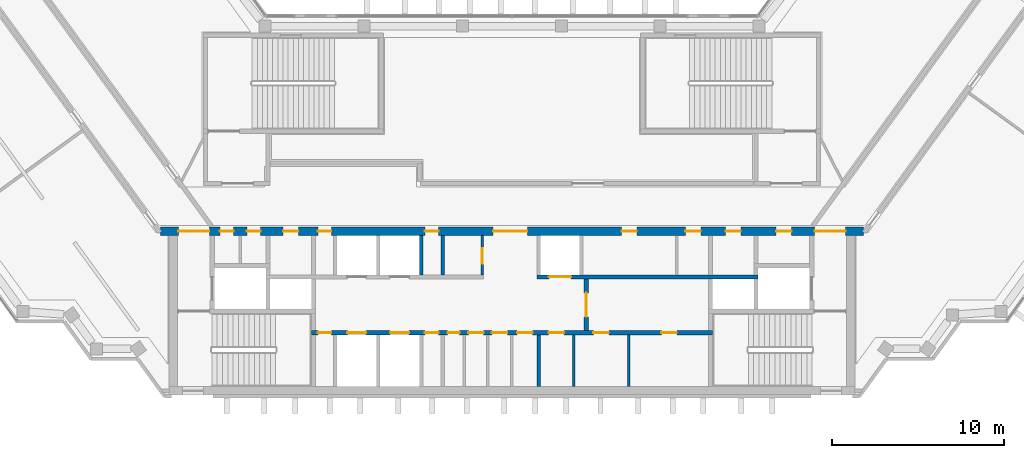
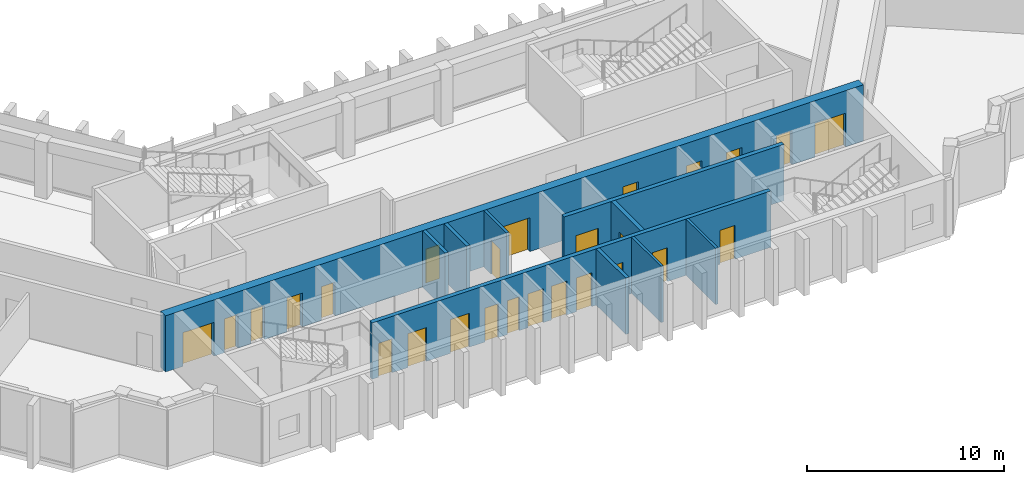
# One storey, part 9 of 13: 26 doors, 10 walls, 26 openings.
"""IFC4 building model written with IfcOpenShell, lengths in metres."""

from ifc_helpers import new_model, si_unit, direction, frame, frame_2d, origin, place, context, subcontext, project, spatial, rectangle, extrude, material, layer, layer_set, type_object, element, fill, save


model = new_model("IFC4")

# Units and contexts
model_context = context("Model", 3, precision=1e-05, world=origin(), true_north=direction((0.0, 1.0)))
body_context = subcontext(model_context, "Body", "Model", "MODEL_VIEW")
ifc_project = project(units=[si_unit("LENGTHUNIT", "METRE"), si_unit("AREAUNIT", "SQUARE_METRE"), si_unit("VOLUMEUNIT", "CUBIC_METRE"), si_unit("PLANEANGLEUNIT", "RADIAN"), si_unit("MASSUNIT", "GRAM", prefix="KILO")], contexts=[model_context])

# Site, building, storey
site_placement = place(None, origin())
site = spatial("IfcSite", under=ifc_project, at=site_placement, CompositionType="ELEMENT")
building_placement = place(site_placement, origin())
building = spatial("IfcBuilding", under=site, at=building_placement, Name="Quipu Civic Tower", CompositionType="ELEMENT")
storey_placement = place(building_placement, frame((0.0, 0.0, 269.0)))
storey = spatial("IfcBuildingStorey", under=building, at=storey_placement, Name="L63", CompositionType="ELEMENT", Elevation=269.0)

# Wall, openings, doors
ifc_material_1 = material(Name="Concrete C70/85", Category="concrete")
ifc_layer_1 = layer(ifc_material_1, 0.25)
ifc_layer_set_1 = layer_set([ifc_layer_1], Name="Concrete C70/85")
wall_type_1 = type_object("IfcWallType", Name="Core wall 250", PredefinedType="SHEAR", material=ifc_layer_set_1)
wall_1_placement = place(storey_placement, frame((11.699951171875, -7.375, 0.0), z_axis=(0.0, 0.0, 1.0), x_axis=(-1.0, 0.0, 0.0)))
wall_1 = element("IfcWall", 1, at=wall_1_placement, inside=storey, type_object=wall_type_1, Name="Core wall", PredefinedType="SHEAR", context=body_context, shape_type="SweptSolid", body=[
    extrude(rectangle(XDim=23.39990234375, YDim=0.25, at=frame_2d((11.699951171875, 0.0))), origin(), (0.0, 0.0, 1.0), 3.5),
])
opening_1_placement = place(wall_1_placement, frame((22.22509765625, 0.0, 0.0)))
opening_1 = element("IfcOpeningElement", 2, at=opening_1_placement, cuts=wall_1, Name="Opening CD-01", PredefinedType="OPENING", context=body_context, shape_type="SweptSolid", body=[
    extrude(rectangle(XDim=0.800048828125, YDim=2.10009765625, at=frame_2d((0.39990234375, 1.050048828125))), frame((0.0, 0.135009765625, 0.0), z_axis=(0.0, -1.0, 0.0), x_axis=(1.0, 0.0, 0.0)), (0.0, 0.0, 1.0), 0.27001953125),
])
opening_2_placement = place(wall_1_placement, frame((20.199951171875, 0.0, 0.0)))
opening_2 = element("IfcOpeningElement", 3, at=opening_2_placement, cuts=wall_1, Name="Opening LD-HL1", PredefinedType="OPENING", context=body_context, shape_type="SweptSolid", body=[
    extrude(rectangle(XDim=1.10009765625, YDim=2.10009765625, at=frame_2d((0.550048828125, 1.050048828125))), frame((0.0, 0.135009765625, 0.0), z_axis=(0.0, -1.0, 0.0), x_axis=(1.0, 0.0, 0.0)), (0.0, 0.0, 1.0), 0.27001953125),
])
opening_3_placement = place(wall_1_placement, frame((17.699951171875, 0.0, 0.0)))
opening_3 = element("IfcOpeningElement", 4, at=opening_3_placement, cuts=wall_1, Name="Opening LD-HL2", PredefinedType="OPENING", context=body_context, shape_type="SweptSolid", body=[
    extrude(rectangle(XDim=1.10009765625, YDim=2.10009765625, at=frame_2d((0.550048828125, 1.050048828125))), frame((0.0, 0.135009765625, 0.0), z_axis=(0.0, -1.0, 0.0), x_axis=(1.0, 0.0, 0.0)), (0.0, 0.0, 1.0), 0.27001953125),
])
opening_4_placement = place(wall_1_placement, frame((15.97509765625, 0.0, 0.0)))
opening_4 = element("IfcOpeningElement", 5, at=opening_4_placement, cuts=wall_1, Name="Opening CD-02", PredefinedType="OPENING", context=body_context, shape_type="SweptSolid", body=[
    extrude(rectangle(XDim=0.800048828125, YDim=2.10009765625, at=frame_2d((0.39990234375, 1.050048828125))), frame((0.0, 0.135009765625, 0.0), z_axis=(0.0, -1.0, 0.0), x_axis=(1.0, 0.0, 0.0)), (0.0, 0.0, 1.0), 0.27001953125),
])
opening_5_placement = place(wall_1_placement, frame((14.75, 0.0, 0.0)))
opening_5 = element("IfcOpeningElement", 6, at=opening_5_placement, cuts=wall_1, Name="Opening CD-03", PredefinedType="OPENING", context=body_context, shape_type="SweptSolid", body=[
    extrude(rectangle(XDim=0.699951171875, YDim=2.10009765625, at=frame_2d((0.35009765625, 1.050048828125))), frame((0.0, 0.135009765625, 0.0), z_axis=(0.0, -1.0, 0.0), x_axis=(1.0, 0.0, 0.0)), (0.0, 0.0, 1.0), 0.27001953125),
])
opening_6_placement = place(wall_1_placement, frame((13.35009765625, 0.0, 0.0)))
opening_6 = element("IfcOpeningElement", 7, at=opening_6_placement, cuts=wall_1, Name="Opening CD-04", PredefinedType="OPENING", context=body_context, shape_type="SweptSolid", body=[
    extrude(rectangle(XDim=0.89990234375, YDim=2.10009765625, at=frame_2d((0.449951171875, 1.050048828125))), frame((0.0, 0.135009765625, 0.0), z_axis=(0.0, -1.0, 0.0), x_axis=(1.0, 0.0, 0.0)), (0.0, 0.0, 1.0), 0.27001953125),
])
opening_7_placement = place(wall_1_placement, frame((11.97509765625, 0.0, 0.0)))
opening_7 = element("IfcOpeningElement", 8, at=opening_7_placement, cuts=wall_1, Name="Opening CD-05", PredefinedType="OPENING", context=body_context, shape_type="SweptSolid", body=[
    extrude(rectangle(XDim=0.89990234375, YDim=2.10009765625, at=frame_2d((0.449951171875, 1.050048828125))), frame((0.0, 0.135009765625, 0.0), z_axis=(0.0, -1.0, 0.0), x_axis=(1.0, 0.0, 0.0)), (0.0, 0.0, 1.0), 0.27001953125),
])
opening_8_placement = place(wall_1_placement, frame((10.5, 0.0, 0.0)))
opening_8 = element("IfcOpeningElement", 9, at=opening_8_placement, cuts=wall_1, Name="Opening CD-06", PredefinedType="OPENING", context=body_context, shape_type="SweptSolid", body=[
    extrude(rectangle(XDim=0.89990234375, YDim=2.10009765625, at=frame_2d((0.449951171875, 1.050048828125))), frame((0.0, 0.135009765625, 0.0), z_axis=(0.0, -1.0, 0.0), x_axis=(1.0, 0.0, 0.0)), (0.0, 0.0, 1.0), 0.27001953125),
])
opening_9_placement = place(wall_1_placement, frame((8.6630859375, 0.0, 0.0)))
opening_9 = element("IfcOpeningElement", 10, at=opening_9_placement, cuts=wall_1, Name="Opening CD-07", PredefinedType="OPENING", context=body_context, shape_type="SweptSolid", body=[
    extrude(rectangle(XDim=0.89990234375, YDim=2.10009765625, at=frame_2d((0.449951171875, 1.050048828125))), frame((0.0, 0.135009765625, 0.0), z_axis=(0.0, -1.0, 0.0), x_axis=(1.0, 0.0, 0.0)), (0.0, 0.0, 1.0), 0.27001953125),
])
opening_10_placement = place(wall_1_placement, frame((6.050048828125, 0.0, 0.0)))
opening_10 = element("IfcOpeningElement", 11, at=opening_10_placement, cuts=wall_1, Name="Opening CD-08", PredefinedType="OPENING", context=body_context, shape_type="SweptSolid", body=[
    extrude(rectangle(XDim=0.89990234375, YDim=2.10009765625, at=frame_2d((0.449951171875, 1.050048828125))), frame((0.0, 0.135009765625, 0.0), z_axis=(0.0, -1.0, 0.0), x_axis=(1.0, 0.0, 0.0)), (0.0, 0.0, 1.0), 0.27001953125),
])
opening_11_placement = place(wall_1_placement, frame((2.087890625, 0.0, 0.0)))
opening_11 = element("IfcOpeningElement", 12, at=opening_11_placement, cuts=wall_1, Name="Opening CD-09", PredefinedType="OPENING", context=body_context, shape_type="SweptSolid", body=[
    extrude(rectangle(XDim=0.89990234375, YDim=2.10009765625, at=frame_2d((0.449951171875, 1.050048828125))), frame((0.0, 0.135009765625, 0.0), z_axis=(0.0, -1.0, 0.0), x_axis=(1.0, 0.0, 0.0)), (0.0, 0.0, 1.0), 0.27001953125),
])
ifc_material_2 = material(Name="Fire rated steel door", Category="steel")
door_type_1 = type_object("IfcDoorType", Name="Fire door FD60 700 x 2100", OperationType="NOTDEFINED", PredefinedType="DOOR", material=ifc_material_2)
door_1_placement = place(opening_5_placement, origin())
door_1 = element("IfcDoor", 13, at=door_1_placement, inside=storey, type_object=door_type_1, Name="Door", OperationType="SINGLE_SWING_RIGHT", OverallHeight=2.10009765625, OverallWidth=0.699951171875, PredefinedType="DOOR", context=body_context, shape_type="SweptSolid", body=[
    extrude(rectangle(XDim=0.699951171875, YDim=2.10009765625, at=frame_2d((0.35009765625, 1.050048828125))), frame((0.0, 0.02490234375, 0.0), z_axis=(0.0, -1.0, 0.0), x_axis=(1.0, 0.0, 0.0)), (0.0, 0.0, 1.0), 0.050048828125),
])
fill(opening_5, door_1)
ifc_material_3 = material(Name="Fire rated steel door", Category="steel")
door_type_2 = type_object("IfcDoorType", Name="Fire door FD60 800 x 2100", OperationType="NOTDEFINED", PredefinedType="DOOR", material=ifc_material_3)
door_2_placement = place(opening_1_placement, origin())
door_2 = element("IfcDoor", 14, at=door_2_placement, inside=storey, type_object=door_type_2, Name="Door", OperationType="SINGLE_SWING_RIGHT", OverallHeight=2.10009765625, OverallWidth=0.800048828125, PredefinedType="DOOR", context=body_context, shape_type="SweptSolid", body=[
    extrude(rectangle(XDim=0.800048828125, YDim=2.10009765625, at=frame_2d((0.39990234375, 1.050048828125))), frame((0.0, 0.02490234375, 0.0), z_axis=(0.0, -1.0, 0.0), x_axis=(1.0, 0.0, 0.0)), (0.0, 0.0, 1.0), 0.050048828125),
])
fill(opening_1, door_2)
door_3_placement = place(opening_4_placement, origin())
door_3 = element("IfcDoor", 15, at=door_3_placement, inside=storey, type_object=door_type_2, Name="Door", OperationType="SINGLE_SWING_RIGHT", OverallHeight=2.10009765625, OverallWidth=0.800048828125, PredefinedType="DOOR", context=body_context, shape_type="SweptSolid", body=[
    extrude(rectangle(XDim=0.800048828125, YDim=2.10009765625, at=frame_2d((0.39990234375, 1.050048828125))), frame((0.0, 0.02490234375, 0.0), z_axis=(0.0, -1.0, 0.0), x_axis=(1.0, 0.0, 0.0)), (0.0, 0.0, 1.0), 0.050048828125),
])
fill(opening_4, door_3)
ifc_material_4 = material(Name="Fire rated steel door", Category="steel")
door_type_3 = type_object("IfcDoorType", Name="Fire door FD60 900 x 2100", OperationType="NOTDEFINED", PredefinedType="DOOR", material=ifc_material_4)
door_4_placement = place(opening_6_placement, origin())
door_4 = element("IfcDoor", 16, at=door_4_placement, inside=storey, type_object=door_type_3, Name="WC door", OperationType="SINGLE_SWING_RIGHT", OverallHeight=2.10009765625, OverallWidth=0.89990234375, PredefinedType="DOOR", context=body_context, shape_type="SweptSolid", body=[
    extrude(rectangle(XDim=0.89990234375, YDim=2.10009765625, at=frame_2d((0.449951171875, 1.050048828125))), frame((0.0, 0.02490234375, 0.0), z_axis=(0.0, -1.0, 0.0), x_axis=(1.0, 0.0, 0.0)), (0.0, 0.0, 1.0), 0.050048828125),
])
fill(opening_6, door_4)
door_5_placement = place(opening_7_placement, origin())
door_5 = element("IfcDoor", 17, at=door_5_placement, inside=storey, type_object=door_type_3, Name="WC door", OperationType="SINGLE_SWING_RIGHT", OverallHeight=2.10009765625, OverallWidth=0.89990234375, PredefinedType="DOOR", context=body_context, shape_type="SweptSolid", body=[
    extrude(rectangle(XDim=0.89990234375, YDim=2.10009765625, at=frame_2d((0.449951171875, 1.050048828125))), frame((0.0, 0.02490234375, 0.0), z_axis=(0.0, -1.0, 0.0), x_axis=(1.0, 0.0, 0.0)), (0.0, 0.0, 1.0), 0.050048828125),
])
fill(opening_7, door_5)
door_6_placement = place(opening_8_placement, origin())
door_6 = element("IfcDoor", 18, at=door_6_placement, inside=storey, type_object=door_type_3, Name="WC door", OperationType="SINGLE_SWING_LEFT", OverallHeight=2.10009765625, OverallWidth=0.89990234375, PredefinedType="DOOR", context=body_context, shape_type="SweptSolid", body=[
    extrude(rectangle(XDim=0.89990234375, YDim=2.10009765625, at=frame_2d((0.449951171875, 1.050048828125))), frame((0.0, 0.02490234375, 0.0), z_axis=(0.0, -1.0, 0.0), x_axis=(1.0, 0.0, 0.0)), (0.0, 0.0, 1.0), 0.050048828125),
])
fill(opening_8, door_6)
door_7_placement = place(opening_9_placement, origin())
door_7 = element("IfcDoor", 19, at=door_7_placement, inside=storey, type_object=door_type_3, Name="Door", OperationType="SINGLE_SWING_LEFT", OverallHeight=2.10009765625, OverallWidth=0.89990234375, PredefinedType="DOOR", context=body_context, shape_type="SweptSolid", body=[
    extrude(rectangle(XDim=0.89990234375, YDim=2.10009765625, at=frame_2d((0.449951171875, 1.050048828125))), frame((0.0, 0.02490234375, 0.0), z_axis=(0.0, -1.0, 0.0), x_axis=(1.0, 0.0, 0.0)), (0.0, 0.0, 1.0), 0.050048828125),
])
fill(opening_9, door_7)
door_8_placement = place(opening_10_placement, origin())
door_8 = element("IfcDoor", 20, at=door_8_placement, inside=storey, type_object=door_type_3, Name="Door", OperationType="SINGLE_SWING_LEFT", OverallHeight=2.10009765625, OverallWidth=0.89990234375, PredefinedType="DOOR", context=body_context, shape_type="SweptSolid", body=[
    extrude(rectangle(XDim=0.89990234375, YDim=2.10009765625, at=frame_2d((0.449951171875, 1.050048828125))), frame((0.0, 0.02490234375, 0.0), z_axis=(0.0, -1.0, 0.0), x_axis=(1.0, 0.0, 0.0)), (0.0, 0.0, 1.0), 0.050048828125),
])
fill(opening_10, door_8)
door_9_placement = place(opening_11_placement, origin())
door_9 = element("IfcDoor", 21, at=door_9_placement, inside=storey, type_object=door_type_3, Name="Door", OperationType="SINGLE_SWING_LEFT", OverallHeight=2.10009765625, OverallWidth=0.89990234375, PredefinedType="DOOR", context=body_context, shape_type="SweptSolid", body=[
    extrude(rectangle(XDim=0.89990234375, YDim=2.10009765625, at=frame_2d((0.449951171875, 1.050048828125))), frame((0.0, 0.02490234375, 0.0), z_axis=(0.0, -1.0, 0.0), x_axis=(1.0, 0.0, 0.0)), (0.0, 0.0, 1.0), 0.050048828125),
])
fill(opening_11, door_9)
ifc_material_5 = material(Name="Stainless steel", Category="steel")
door_type_4 = type_object("IfcDoorType", Name="Lift landing door 1100 x 2100", OperationType="DOUBLE_DOOR_SLIDING", PredefinedType="DOOR", material=ifc_material_5)
door_10_placement = place(opening_2_placement, origin())
door_10 = element("IfcDoor", 22, at=door_10_placement, inside=storey, type_object=door_type_4, Name="Landing door HL1", OperationType="DOUBLE_DOOR_SLIDING", OverallHeight=2.10009765625, OverallWidth=1.10009765625, PredefinedType="DOOR", context=body_context, shape_type="SweptSolid", body=[
    extrude(rectangle(XDim=1.10009765625, YDim=2.10009765625, at=frame_2d((0.550048828125, 1.050048828125))), frame((0.0, 0.02490234375, 0.0), z_axis=(0.0, -1.0, 0.0), x_axis=(1.0, 0.0, 0.0)), (0.0, 0.0, 1.0), 0.050048828125),
])
fill(opening_2, door_10)
door_11_placement = place(opening_3_placement, origin())
door_11 = element("IfcDoor", 23, at=door_11_placement, inside=storey, type_object=door_type_4, Name="Landing door HL2", OperationType="DOUBLE_DOOR_SLIDING", OverallHeight=2.10009765625, OverallWidth=1.10009765625, PredefinedType="DOOR", context=body_context, shape_type="SweptSolid", body=[
    extrude(rectangle(XDim=1.10009765625, YDim=2.10009765625, at=frame_2d((0.550048828125, 1.050048828125))), frame((0.0, 0.02490234375, 0.0), z_axis=(0.0, -1.0, 0.0), x_axis=(1.0, 0.0, 0.0)), (0.0, 0.0, 1.0), 0.050048828125),
])
fill(opening_3, door_11)

# Wall, opening, door
wall_2_placement = place(storey_placement, frame((4.324951171875, -7.25, 0.0), z_axis=(0.0, 0.0, 1.0), x_axis=(0.0, 1.0, 0.0)))
wall_2 = element("IfcWall", 24, at=wall_2_placement, inside=storey, type_object=wall_type_1, Name="Core wall", PredefinedType="SHEAR", context=body_context, shape_type="SweptSolid", body=[
    extrude(rectangle(XDim=3.0, YDim=0.25, at=frame_2d((1.5, 0.0))), origin(), (0.0, 0.0, 1.0), 3.5),
])
opening_12_placement = place(wall_2_placement, frame((0.800048828125, 0.0, 0.0)))
opening_12 = element("IfcOpeningElement", 25, at=opening_12_placement, cuts=wall_2, Name="Opening CD-12", PredefinedType="OPENING", context=body_context, shape_type="SweptSolid", body=[
    extrude(rectangle(XDim=1.39990234375, YDim=2.10009765625, at=frame_2d((0.699951171875, 1.050048828125))), frame((0.0, 0.135009765625, 0.0), z_axis=(0.0, -1.0, 0.0), x_axis=(1.0, 0.0, 0.0)), (0.0, 0.0, 1.0), 0.27001953125),
])
ifc_material_6 = material(Name="Fire rated steel door", Category="steel")
door_type_5 = type_object("IfcDoorType", Name="Fire door FD60 double 1400 x 2100", OperationType="NOTDEFINED", PredefinedType="DOOR", material=ifc_material_6)
door_12_placement = place(opening_12_placement, origin())
door_12 = element("IfcDoor", 26, at=door_12_placement, inside=storey, type_object=door_type_5, Name="Hall door", OperationType="DOUBLE_DOOR_SINGLE_SWING", OverallHeight=2.10009765625, OverallWidth=1.39990234375, PredefinedType="DOOR", context=body_context, shape_type="SweptSolid", body=[
    extrude(rectangle(XDim=1.39990234375, YDim=2.10009765625, at=frame_2d((0.699951171875, 1.050048828125))), frame((0.0, 0.02490234375, 0.0), z_axis=(0.0, -1.0, 0.0), x_axis=(1.0, 0.0, 0.0)), (0.0, 0.0, 1.0), 0.050048828125),
])
fill(opening_12, door_12)

wall_3_placement = place(storey_placement, frame((1.449951171875, -4.125, 0.0), z_axis=(0.0, 0.0, 1.0), x_axis=(1.0, 0.0, 0.0)))
wall_3 = element("IfcWall", 27, at=wall_3_placement, inside=storey, type_object=wall_type_1, Name="Core wall", PredefinedType="SHEAR", context=body_context, shape_type="SweptSolid", body=[
    extrude(rectangle(XDim=12.900146484375, YDim=0.25, at=frame_2d((6.4501953125, 0.0))), origin(), (0.0, 0.0, 1.0), 3.5),
])
opening_13_placement = place(wall_3_placement, frame((0.699951171875, 0.0, 0.0)))
opening_13 = element("IfcOpeningElement", 28, at=opening_13_placement, cuts=wall_3, Name="Opening LD-FF3", PredefinedType="OPENING", context=body_context, shape_type="SweptSolid", body=[
    extrude(rectangle(XDim=1.300048828125, YDim=2.10009765625, at=frame_2d((0.64990234375, 1.050048828125))), frame((0.0, 0.135009765625, 0.0), z_axis=(0.0, -1.0, 0.0), x_axis=(1.0, 0.0, 0.0)), (0.0, 0.0, 1.0), 0.27001953125),
])
ifc_material_7 = material(Name="Stainless steel", Category="steel")
door_type_6 = type_object("IfcDoorType", Name="Lift landing door 1300 x 2100", OperationType="DOUBLE_DOOR_SLIDING", PredefinedType="DOOR", material=ifc_material_7)
door_13_placement = place(opening_13_placement, origin())
door_13 = element("IfcDoor", 29, at=door_13_placement, inside=storey, type_object=door_type_6, Name="Landing door FF3", OperationType="DOUBLE_DOOR_SLIDING", OverallHeight=2.10009765625, OverallWidth=1.300048828125, PredefinedType="DOOR", context=body_context, shape_type="SweptSolid", body=[
    extrude(rectangle(XDim=1.300048828125, YDim=2.10009765625, at=frame_2d((0.64990234375, 1.050048828125))), frame((0.0, 0.02490234375, 0.0), z_axis=(0.0, -1.0, 0.0), x_axis=(1.0, 0.0, 0.0)), (0.0, 0.0, 1.0), 0.050048828125),
])
fill(opening_13, door_13)

# Wall, openings, doors
ifc_material_8 = material(Name="Concrete C70/85", Category="concrete")
ifc_layer_2 = layer(ifc_material_8, 0.5)
ifc_layer_set_2 = layer_set([ifc_layer_2], Name="Concrete C70/85")
wall_type_2 = type_object("IfcWallType", Name="Core wall 500", PredefinedType="SHEAR", material=ifc_layer_set_2)
wall_4_placement = place(storey_placement, frame((20.489990234375, -1.449951171875, 0.0), z_axis=(0.0, 0.0, 1.0), x_axis=(-1.0, 0.0, 0.0)))
wall_4 = element("IfcWall", 30, at=wall_4_placement, inside=storey, type_object=wall_type_2, Name="Core wall", PredefinedType="SHEAR", context=body_context, shape_type="SweptSolid", body=[
    extrude(rectangle(XDim=40.97998046875, YDim=0.5, at=frame_2d((20.489990234375, 0.0))), origin(), (0.0, 0.0, 1.0), 3.5),
])
opening_14_placement = place(wall_4_placement, frame((38.139892578125, 0.0, 0.0)))
opening_14 = element("IfcOpeningElement", 31, at=opening_14_placement, cuts=wall_4, Name="Opening CD-14", PredefinedType="OPENING", context=body_context, shape_type="SweptSolid", body=[
    extrude(rectangle(XDim=1.800048828125, YDim=2.10009765625, at=frame_2d((0.89990234375, 1.050048828125))), frame((0.0, 0.260009765625, 0.0), z_axis=(0.0, -1.0, 0.0), x_axis=(1.0, 0.0, 0.0)), (0.0, 0.0, 1.0), 0.52001953125),
])
opening_15_placement = place(wall_4_placement, frame((36.7275390625, 0.0, 0.0)))
opening_15 = element("IfcOpeningElement", 32, at=opening_15_placement, cuts=wall_4, Name="Opening CD-15", PredefinedType="OPENING", context=body_context, shape_type="SweptSolid", body=[
    extrude(rectangle(XDim=0.800048828125, YDim=2.10009765625, at=frame_2d((0.39990234375, 1.050048828125))), frame((0.0, 0.260009765625, 0.0), z_axis=(0.0, -1.0, 0.0), x_axis=(1.0, 0.0, 0.0)), (0.0, 0.0, 1.0), 0.52001953125),
])
opening_16_placement = place(wall_4_placement, frame((35.152587890625, 0.0, 0.0)))
opening_16 = element("IfcOpeningElement", 33, at=opening_16_placement, cuts=wall_4, Name="Opening CD-16", PredefinedType="OPENING", context=body_context, shape_type="SweptSolid", body=[
    extrude(rectangle(XDim=0.800048828125, YDim=2.10009765625, at=frame_2d((0.39990234375, 1.050048828125))), frame((0.0, 0.260009765625, 0.0), z_axis=(0.0, -1.0, 0.0), x_axis=(1.0, 0.0, 0.0)), (0.0, 0.0, 1.0), 0.52001953125),
])
opening_17_placement = place(wall_4_placement, frame((32.93994140625, 0.0, 0.0)))
opening_17 = element("IfcOpeningElement", 34, at=opening_17_placement, cuts=wall_4, Name="Opening CD-17", PredefinedType="OPENING", context=body_context, shape_type="SweptSolid", body=[
    extrude(rectangle(XDim=0.89990234375, YDim=2.10009765625, at=frame_2d((0.449951171875, 1.050048828125))), frame((0.0, 0.260009765625, 0.0), z_axis=(0.0, -1.0, 0.0), x_axis=(1.0, 0.0, 0.0)), (0.0, 0.0, 1.0), 0.52001953125),
])
opening_18_placement = place(wall_4_placement, frame((31.014892578125, 0.0, 0.0)))
opening_18 = element("IfcOpeningElement", 35, at=opening_18_placement, cuts=wall_4, Name="Opening CD-18", PredefinedType="OPENING", context=body_context, shape_type="SweptSolid", body=[
    extrude(rectangle(XDim=0.800048828125, YDim=2.10009765625, at=frame_2d((0.39990234375, 1.050048828125))), frame((0.0, 0.260009765625, 0.0), z_axis=(0.0, -1.0, 0.0), x_axis=(1.0, 0.0, 0.0)), (0.0, 0.0, 1.0), 0.52001953125),
])
opening_19_placement = place(wall_4_placement, frame((24.764892578125, 0.0, 0.0)))
opening_19 = element("IfcOpeningElement", 36, at=opening_19_placement, cuts=wall_4, Name="Opening CD-19", PredefinedType="OPENING", context=body_context, shape_type="SweptSolid", body=[
    extrude(rectangle(XDim=0.800048828125, YDim=2.10009765625, at=frame_2d((0.39990234375, 1.050048828125))), frame((0.0, 0.260009765625, 0.0), z_axis=(0.0, -1.0, 0.0), x_axis=(1.0, 0.0, 0.0)), (0.0, 0.0, 1.0), 0.52001953125),
])
opening_20_placement = place(wall_4_placement, frame((19.590087890625, 0.0, 0.0)))
opening_20 = element("IfcOpeningElement", 37, at=opening_20_placement, cuts=wall_4, Name="Opening CD-20", PredefinedType="OPENING", context=body_context, shape_type="SweptSolid", body=[
    extrude(rectangle(XDim=2.0, YDim=2.10009765625, at=frame_2d((1.0, 1.050048828125))), frame((0.0, 0.260009765625, 0.0), z_axis=(0.0, -1.0, 0.0), x_axis=(1.0, 0.0, 0.0)), (0.0, 0.0, 1.0), 0.52001953125),
])
opening_21_placement = place(wall_4_placement, frame((13.202392578125, 0.0, 0.0)))
opening_21 = element("IfcOpeningElement", 38, at=opening_21_placement, cuts=wall_4, Name="Opening CD-21", PredefinedType="OPENING", context=body_context, shape_type="SweptSolid", body=[
    extrude(rectangle(XDim=0.89990234375, YDim=2.10009765625, at=frame_2d((0.449951171875, 1.050048828125))), frame((0.0, 0.260009765625, 0.0), z_axis=(0.0, -1.0, 0.0), x_axis=(1.0, 0.0, 0.0)), (0.0, 0.0, 1.0), 0.52001953125),
])
opening_22_placement = place(wall_4_placement, frame((9.4775390625, 0.0, 0.0)))
opening_22 = element("IfcOpeningElement", 39, at=opening_22_placement, cuts=wall_4, Name="Opening CD-22", PredefinedType="OPENING", context=body_context, shape_type="SweptSolid", body=[
    extrude(rectangle(XDim=0.89990234375, YDim=2.10009765625, at=frame_2d((0.449951171875, 1.050048828125))), frame((0.0, 0.260009765625, 0.0), z_axis=(0.0, -1.0, 0.0), x_axis=(1.0, 0.0, 0.0)), (0.0, 0.0, 1.0), 0.52001953125),
])
opening_23_placement = place(wall_4_placement, frame((7.139892578125, 0.0, 0.0)))
opening_23 = element("IfcOpeningElement", 40, at=opening_23_placement, cuts=wall_4, Name="Opening CD-23", PredefinedType="OPENING", context=body_context, shape_type="SweptSolid", body=[
    extrude(rectangle(XDim=0.89990234375, YDim=2.10009765625, at=frame_2d((0.449951171875, 1.050048828125))), frame((0.0, 0.260009765625, 0.0), z_axis=(0.0, -1.0, 0.0), x_axis=(1.0, 0.0, 0.0)), (0.0, 0.0, 1.0), 0.52001953125),
])
opening_24_placement = place(wall_4_placement, frame((4.18994140625, 0.0, 0.0)))
opening_24 = element("IfcOpeningElement", 41, at=opening_24_placement, cuts=wall_4, Name="Opening CD-24", PredefinedType="OPENING", context=body_context, shape_type="SweptSolid", body=[
    extrude(rectangle(XDim=0.89990234375, YDim=2.10009765625, at=frame_2d((0.449951171875, 1.050048828125))), frame((0.0, 0.260009765625, 0.0), z_axis=(0.0, -1.0, 0.0), x_axis=(1.0, 0.0, 0.0)), (0.0, 0.0, 1.0), 0.52001953125),
])
opening_25_placement = place(wall_4_placement, frame((1.0400390625, 0.0, 0.0)))
opening_25 = element("IfcOpeningElement", 42, at=opening_25_placement, cuts=wall_4, Name="Opening CD-25", PredefinedType="OPENING", context=body_context, shape_type="SweptSolid", body=[
    extrude(rectangle(XDim=1.800048828125, YDim=2.10009765625, at=frame_2d((0.89990234375, 1.050048828125))), frame((0.0, 0.260009765625, 0.0), z_axis=(0.0, -1.0, 0.0), x_axis=(1.0, 0.0, 0.0)), (0.0, 0.0, 1.0), 0.52001953125),
])
door_14_placement = place(opening_15_placement, origin())
door_14 = element("IfcDoor", 43, at=door_14_placement, inside=storey, type_object=door_type_2, Name="Door", OperationType="SINGLE_SWING_RIGHT", OverallHeight=2.10009765625, OverallWidth=0.800048828125, PredefinedType="DOOR", context=body_context, shape_type="SweptSolid", body=[
    extrude(rectangle(XDim=0.800048828125, YDim=2.10009765625, at=frame_2d((0.39990234375, 1.050048828125))), frame((0.0, 0.02490234375, 0.0), z_axis=(0.0, -1.0, 0.0), x_axis=(1.0, 0.0, 0.0)), (0.0, 0.0, 1.0), 0.050048828125),
])
fill(opening_15, door_14)
door_15_placement = place(opening_16_placement, origin())
door_15 = element("IfcDoor", 44, at=door_15_placement, inside=storey, type_object=door_type_2, Name="Door", OperationType="SINGLE_SWING_RIGHT", OverallHeight=2.10009765625, OverallWidth=0.800048828125, PredefinedType="DOOR", context=body_context, shape_type="SweptSolid", body=[
    extrude(rectangle(XDim=0.800048828125, YDim=2.10009765625, at=frame_2d((0.39990234375, 1.050048828125))), frame((0.0, 0.02490234375, 0.0), z_axis=(0.0, -1.0, 0.0), x_axis=(1.0, 0.0, 0.0)), (0.0, 0.0, 1.0), 0.050048828125),
])
fill(opening_16, door_15)
door_16_placement = place(opening_18_placement, origin())
door_16 = element("IfcDoor", 45, at=door_16_placement, inside=storey, type_object=door_type_2, Name="Door", OperationType="SINGLE_SWING_RIGHT", OverallHeight=2.10009765625, OverallWidth=0.800048828125, PredefinedType="DOOR", context=body_context, shape_type="SweptSolid", body=[
    extrude(rectangle(XDim=0.800048828125, YDim=2.10009765625, at=frame_2d((0.39990234375, 1.050048828125))), frame((0.0, 0.02490234375, 0.0), z_axis=(0.0, -1.0, 0.0), x_axis=(1.0, 0.0, 0.0)), (0.0, 0.0, 1.0), 0.050048828125),
])
fill(opening_18, door_16)
door_17_placement = place(opening_19_placement, origin())
door_17 = element("IfcDoor", 46, at=door_17_placement, inside=storey, type_object=door_type_2, Name="Door", OperationType="SINGLE_SWING_RIGHT", OverallHeight=2.10009765625, OverallWidth=0.800048828125, PredefinedType="DOOR", context=body_context, shape_type="SweptSolid", body=[
    extrude(rectangle(XDim=0.800048828125, YDim=2.10009765625, at=frame_2d((0.39990234375, 1.050048828125))), frame((0.0, 0.02490234375, 0.0), z_axis=(0.0, -1.0, 0.0), x_axis=(1.0, 0.0, 0.0)), (0.0, 0.0, 1.0), 0.050048828125),
])
fill(opening_19, door_17)
door_18_placement = place(opening_17_placement, origin())
door_18 = element("IfcDoor", 47, at=door_18_placement, inside=storey, type_object=door_type_3, Name="Riser door", OperationType="SINGLE_SWING_RIGHT", OverallHeight=2.10009765625, OverallWidth=0.89990234375, PredefinedType="DOOR", context=body_context, shape_type="SweptSolid", body=[
    extrude(rectangle(XDim=0.89990234375, YDim=2.10009765625, at=frame_2d((0.449951171875, 1.050048828125))), frame((0.0, 0.02490234375, 0.0), z_axis=(0.0, -1.0, 0.0), x_axis=(1.0, 0.0, 0.0)), (0.0, 0.0, 1.0), 0.050048828125),
])
fill(opening_17, door_18)
door_19_placement = place(opening_21_placement, origin())
door_19 = element("IfcDoor", 48, at=door_19_placement, inside=storey, type_object=door_type_3, Name="Door", OperationType="SINGLE_SWING_LEFT", OverallHeight=2.10009765625, OverallWidth=0.89990234375, PredefinedType="DOOR", context=body_context, shape_type="SweptSolid", body=[
    extrude(rectangle(XDim=0.89990234375, YDim=2.10009765625, at=frame_2d((0.449951171875, 1.050048828125))), frame((0.0, 0.02490234375, 0.0), z_axis=(0.0, -1.0, 0.0), x_axis=(1.0, 0.0, 0.0)), (0.0, 0.0, 1.0), 0.050048828125),
])
fill(opening_21, door_19)
door_20_placement = place(opening_22_placement, origin())
door_20 = element("IfcDoor", 49, at=door_20_placement, inside=storey, type_object=door_type_3, Name="Door", OperationType="SINGLE_SWING_LEFT", OverallHeight=2.10009765625, OverallWidth=0.89990234375, PredefinedType="DOOR", context=body_context, shape_type="SweptSolid", body=[
    extrude(rectangle(XDim=0.89990234375, YDim=2.10009765625, at=frame_2d((0.449951171875, 1.050048828125))), frame((0.0, 0.02490234375, 0.0), z_axis=(0.0, -1.0, 0.0), x_axis=(1.0, 0.0, 0.0)), (0.0, 0.0, 1.0), 0.050048828125),
])
fill(opening_22, door_20)
door_21_placement = place(opening_23_placement, origin())
door_21 = element("IfcDoor", 50, at=door_21_placement, inside=storey, type_object=door_type_3, Name="Riser door", OperationType="SINGLE_SWING_LEFT", OverallHeight=2.10009765625, OverallWidth=0.89990234375, PredefinedType="DOOR", context=body_context, shape_type="SweptSolid", body=[
    extrude(rectangle(XDim=0.89990234375, YDim=2.10009765625, at=frame_2d((0.449951171875, 1.050048828125))), frame((0.0, 0.02490234375, 0.0), z_axis=(0.0, -1.0, 0.0), x_axis=(1.0, 0.0, 0.0)), (0.0, 0.0, 1.0), 0.050048828125),
])
fill(opening_23, door_21)
door_22_placement = place(opening_24_placement, origin())
door_22 = element("IfcDoor", 51, at=door_22_placement, inside=storey, type_object=door_type_3, Name="Door", OperationType="SINGLE_SWING_LEFT", OverallHeight=2.10009765625, OverallWidth=0.89990234375, PredefinedType="DOOR", context=body_context, shape_type="SweptSolid", body=[
    extrude(rectangle(XDim=0.89990234375, YDim=2.10009765625, at=frame_2d((0.449951171875, 1.050048828125))), frame((0.0, 0.02490234375, 0.0), z_axis=(0.0, -1.0, 0.0), x_axis=(1.0, 0.0, 0.0)), (0.0, 0.0, 1.0), 0.050048828125),
])
fill(opening_24, door_22)
ifc_material_9 = material(Name="Fire rated steel door", Category="steel")
door_type_7 = type_object("IfcDoorType", Name="Fire door FD90 double 1800 x 2100", OperationType="NOTDEFINED", PredefinedType="DOOR", material=ifc_material_9)
door_23_placement = place(opening_14_placement, origin())
door_23 = element("IfcDoor", 52, at=door_23_placement, inside=storey, type_object=door_type_7, Name="Lobby door", OperationType="DOUBLE_DOOR_SINGLE_SWING", OverallHeight=2.10009765625, OverallWidth=1.800048828125, PredefinedType="DOOR", context=body_context, shape_type="SweptSolid", body=[
    extrude(rectangle(XDim=1.800048828125, YDim=2.10009765625, at=frame_2d((0.89990234375, 1.050048828125))), frame((0.0, 0.02490234375, 0.0), z_axis=(0.0, -1.0, 0.0), x_axis=(1.0, 0.0, 0.0)), (0.0, 0.0, 1.0), 0.050048828125),
])
fill(opening_14, door_23)
door_24_placement = place(opening_25_placement, origin())
door_24 = element("IfcDoor", 53, at=door_24_placement, inside=storey, type_object=door_type_7, Name="Lobby door", OperationType="DOUBLE_DOOR_SINGLE_SWING", OverallHeight=2.10009765625, OverallWidth=1.800048828125, PredefinedType="DOOR", context=body_context, shape_type="SweptSolid", body=[
    extrude(rectangle(XDim=1.800048828125, YDim=2.10009765625, at=frame_2d((0.89990234375, 1.050048828125))), frame((0.0, 0.02490234375, 0.0), z_axis=(0.0, -1.0, 0.0), x_axis=(1.0, 0.0, 0.0)), (0.0, 0.0, 1.0), 0.050048828125),
])
fill(opening_25, door_24)
ifc_material_10 = material(Name="Fire rated steel door", Category="steel")
door_type_8 = type_object("IfcDoorType", Name="Fire door FD90 double 2000 x 2100", OperationType="NOTDEFINED", PredefinedType="DOOR", material=ifc_material_10)
door_25_placement = place(opening_20_placement, origin())
door_25 = element("IfcDoor", 54, at=door_25_placement, inside=storey, type_object=door_type_8, Name="Lobby door", OperationType="DOUBLE_DOOR_SINGLE_SWING", OverallHeight=2.10009765625, OverallWidth=2.0, PredefinedType="DOOR", context=body_context, shape_type="SweptSolid", body=[
    extrude(rectangle(XDim=2.0, YDim=2.10009765625, at=frame_2d((1.0, 1.050048828125))), frame((0.0, 0.02490234375, 0.0), z_axis=(0.0, -1.0, 0.0), x_axis=(1.0, 0.0, 0.0)), (0.0, 0.0, 1.0), 0.050048828125),
])
fill(opening_20, door_25)

# Walls
ifc_material_11 = material(Name="Gypsum board partition")
ifc_layer_3 = layer(ifc_material_11, 0.14990234375)
ifc_layer_set_3 = layer_set([ifc_layer_3], Name="Gypsum board partition")
wall_type_3 = type_object("IfcWallType", Name="Partition 150", PredefinedType="PARTITIONING", material=ifc_layer_set_3)
for number, where, z_axis, x_axis, name in (
    (55, (3.60009765625, -10.5, 0.0), (0.0, 0.0, 1.0), (0.0, 1.0, 0.0), "Partition"),
    (56, (6.800048828125, -10.5, 0.0), (0.0, 0.0, 1.0), (0.0, 1.0, 0.0), "Partition"),
):
    element("IfcWall", number, at=place(storey_placement, frame(where, z_axis=z_axis, x_axis=x_axis)), inside=storey, type_object=wall_type_3, Name=name, PredefinedType="PARTITIONING", context=body_context, shape_type="SweptSolid", body=[
        extrude(rectangle(XDim=3.0, YDim=0.14990234375, at=frame_2d((1.5, 0.0))), origin(), (0.0, 0.0, 1.0), 3.5),
    ])

# Wall, opening, door
wall_5_placement = place(storey_placement, frame((-1.72509765625, -1.699951171875, 0.0), z_axis=(0.0, 0.0, 1.0), x_axis=(0.0, -1.0, 0.0)))
wall_5 = element("IfcWall", 57, at=wall_5_placement, inside=storey, type_object=wall_type_3, Name="Partition", PredefinedType="PARTITIONING", context=body_context, shape_type="SweptSolid", body=[
    extrude(rectangle(XDim=2.300048828125, YDim=0.14990234375, at=frame_2d((1.14990234375, 0.0))), origin(), (0.0, 0.0, 1.0), 3.5),
])
opening_26_placement = place(wall_5_placement, frame((0.75, 0.0, 0.0)))
opening_26 = element("IfcOpeningElement", 58, at=opening_26_placement, cuts=wall_5, Name="Opening CD-13", PredefinedType="OPENING", context=body_context, shape_type="SweptSolid", body=[
    extrude(rectangle(XDim=0.89990234375, YDim=2.10009765625, at=frame_2d((0.449951171875, 1.050048828125))), frame((0.0, 0.0849609375, 0.0), z_axis=(0.0, -1.0, 0.0), x_axis=(1.0, 0.0, 0.0)), (0.0, 0.0, 1.0), 0.169921875),
])
door_26_placement = place(opening_26_placement, origin())
door_26 = element("IfcDoor", 59, at=door_26_placement, inside=storey, type_object=door_type_3, Name="WC door", OperationType="SINGLE_SWING_RIGHT", OverallHeight=2.10009765625, OverallWidth=0.89990234375, PredefinedType="DOOR", context=body_context, shape_type="SweptSolid", body=[
    extrude(rectangle(XDim=0.89990234375, YDim=2.10009765625, at=frame_2d((0.449951171875, 1.050048828125))), frame((0.0, 0.02490234375, 0.0), z_axis=(0.0, -1.0, 0.0), x_axis=(1.0, 0.0, 0.0)), (0.0, 0.0, 1.0), 0.050048828125),
])
fill(opening_26, door_26)

# Walls
ifc_material_12 = material(Name="Concrete C40/50", Category="concrete")
ifc_layer_4 = layer(ifc_material_12, 0.199951171875)
ifc_layer_set_4 = layer_set([ifc_layer_4], Name="Concrete C40/50")
wall_type_4 = type_object("IfcWallType", Name="Shaft wall 200", PredefinedType="SOLIDWALL", material=ifc_layer_set_4)
wall_6_placement = place(storey_placement, frame((1.550048828125, -10.5, 0.0), z_axis=(0.0, 0.0, 1.0), x_axis=(0.0, 1.0, 0.0)))
element("IfcWall", 60, at=wall_6_placement, inside=storey, type_object=wall_type_4, Name="Shaft wall", PredefinedType="SOLIDWALL", context=body_context, shape_type="SweptSolid", body=[
    extrude(rectangle(XDim=3.0, YDim=0.199951171875, at=frame_2d((1.5, 0.0))), origin(), (0.0, 0.0, 1.0), 3.5),
])
for number, where, z_axis, x_axis, name in (
    (61, (-5.300048828125, -4.0, 0.0), (0.0, 0.0, 1.0), (0.0, 1.0, 0.0), "Shaft wall"),
    (62, (-4.050048828125, -4.0, 0.0), (0.0, 0.0, 1.0), (0.0, 1.0, 0.0), "Shaft wall"),
):
    element("IfcWall", number, at=place(storey_placement, frame(where, z_axis=z_axis, x_axis=x_axis)), inside=storey, type_object=wall_type_4, Name=name, PredefinedType="SOLIDWALL", context=body_context, shape_type="SweptSolid", body=[
        extrude(rectangle(XDim=2.300048828125, YDim=0.199951171875, at=frame_2d((1.14990234375, 0.0))), origin(), (0.0, 0.0, 1.0), 3.5),
    ])

save(model, "model.ifc")
